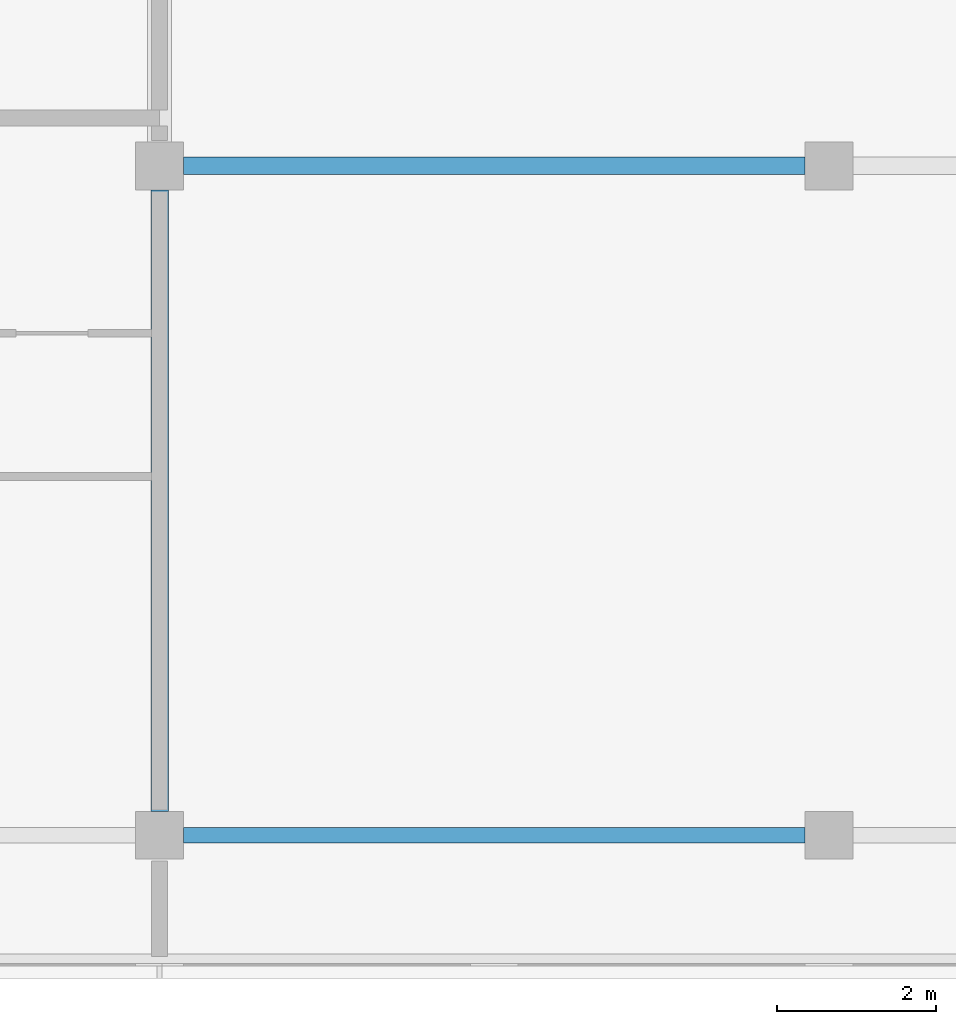
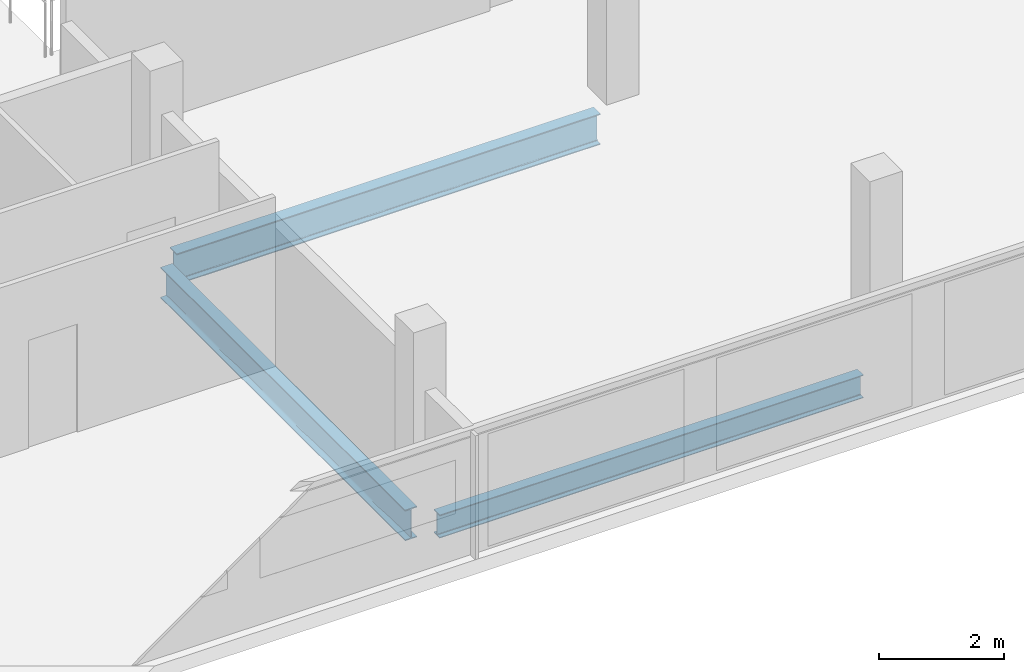
# One storey, part 3 of 25: 3 beams.
"""IFC4 building model written with IfcOpenShell, lengths in metres."""

from ifc_helpers import new_model, si_unit, direction, frame, origin, origin_2d, place, context, subcontext, project, spatial, i_section, extrude, material, material_profile, profile_set, type_object, element, save


model = new_model("IFC4")

# Units and contexts
model_context = context("Model", 3, precision=1e-05, world=origin(), true_north=direction((0.0, 1.0)))
body_context = subcontext(model_context, "Body", "Model", "MODEL_VIEW")
ifc_project = project(units=[si_unit("LENGTHUNIT", "METRE"), si_unit("AREAUNIT", "SQUARE_METRE"), si_unit("VOLUMEUNIT", "CUBIC_METRE"), si_unit("PLANEANGLEUNIT", "RADIAN"), si_unit("MASSUNIT", "GRAM", prefix="KILO")], contexts=[model_context])

# Site, building, storey
site_placement = place(None, origin())
site = spatial("IfcSite", under=ifc_project, at=site_placement, CompositionType="ELEMENT")
building_placement = place(site_placement, origin())
building = spatial("IfcBuilding", under=site, at=building_placement, Name="Saffron Gate Tower", CompositionType="ELEMENT")
storey_placement = place(building_placement, frame((0.0, 0.0, 248.699951171875)))
storey = spatial("IfcBuildingStorey", under=building, at=storey_placement, Name="L61", CompositionType="ELEMENT", Elevation=248.699951171875)

# Beams
ifc_material = material(Name="Structural steel S355", Category="steel")
ifc_material_profile_1 = material_profile(ifc_material, i_section(OverallWidth=0.219970703125, OverallDepth=0.60009765625, WebThickness=0.011962890625, FlangeThickness=0.01904296875, FilletRadius=0.02392578125, at=origin_2d()))
ifc_profile_set_1 = profile_set([ifc_material_profile_1], Name="Structural steel S355")
beam_type_1 = type_object("IfcBeamType", Name="B15 IPE 600", PredefinedType="BEAM", material=ifc_profile_set_1)
beam_1_placement = place(storey_placement, frame((75.0, 32.10009765625, -0.579833984375), z_axis=(0.0, 1.0, 0.0), x_axis=(-1.0, 0.0, 0.0)))
element("IfcBeam", 1, at=beam_1_placement, inside=storey, type_object=beam_type_1, Name="B15 FLOOR GIRDER", PredefinedType="BEAM", context=body_context, shape_type="SweptSolid", body=[
    extrude(i_section(OverallWidth=0.219970703125, OverallDepth=0.60009765625, WebThickness=0.011962890625, FlangeThickness=0.01904296875, FilletRadius=0.02392578125, at=origin_2d()), origin(), (0.0, 0.0, 1.0), 7.7998046875),
])
beam_2_placement = place(storey_placement, frame((75.300048828125, 40.199951171875, -0.579833984375), z_axis=(1.0, 0.0, 0.0), x_axis=(0.0, 1.0, 0.0)))
element("IfcBeam", 2, at=beam_2_placement, inside=storey, type_object=beam_type_1, Name="B15 FLOOR GIRDER", PredefinedType="BEAM", context=body_context, shape_type="SweptSolid", body=[
    extrude(i_section(OverallWidth=0.219970703125, OverallDepth=0.60009765625, WebThickness=0.011962890625, FlangeThickness=0.01904296875, FilletRadius=0.02392578125, at=origin_2d()), origin(), (0.0, 0.0, 1.0), 7.800048828125),
])
ifc_material_profile_2 = material_profile(ifc_material, i_section(OverallWidth=0.18994140625, OverallDepth=0.449951171875, WebThickness=0.009521484375, FlangeThickness=0.0146484375, FilletRadius=0.02099609375, at=origin_2d()))
ifc_profile_set_2 = profile_set([ifc_material_profile_2], Name="Structural steel S355")
beam_type_2 = type_object("IfcBeamType", Name="B7 IPE 450", PredefinedType="SPANDREL", material=ifc_profile_set_2)
beam_3_placement = place(storey_placement, frame((75.300048828125, 31.800048828125, -0.5048828125), z_axis=(1.0, 0.0, 0.0), x_axis=(0.0, 1.0, 0.0)))
element("IfcBeam", 3, at=beam_3_placement, inside=storey, type_object=beam_type_2, Name="B7 SPANDREL BEAM", PredefinedType="SPANDREL", context=body_context, shape_type="SweptSolid", body=[
    extrude(i_section(OverallWidth=0.18994140625, OverallDepth=0.449951171875, WebThickness=0.009521484375, FlangeThickness=0.0146484375, FilletRadius=0.02099609375, at=origin_2d()), origin(), (0.0, 0.0, 1.0), 7.800048828125),
])

save(model, "model.ifc")
